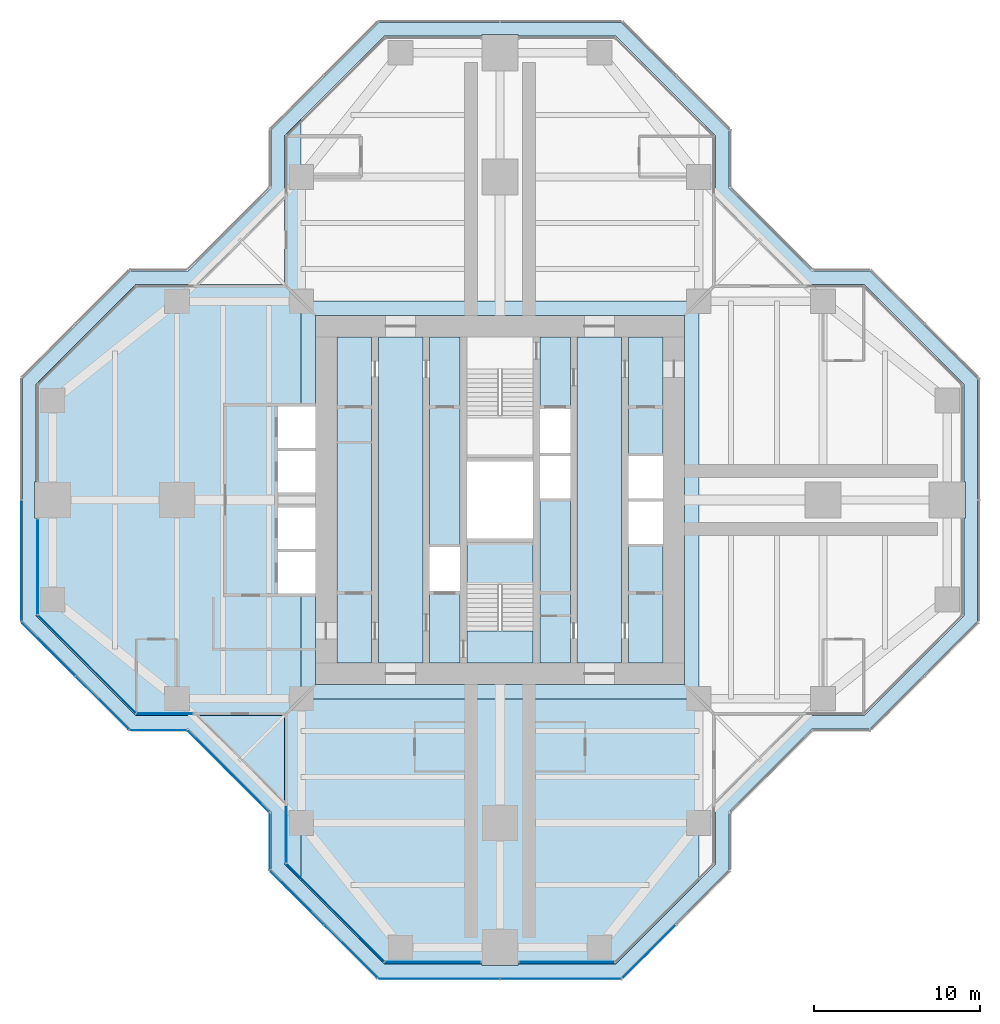
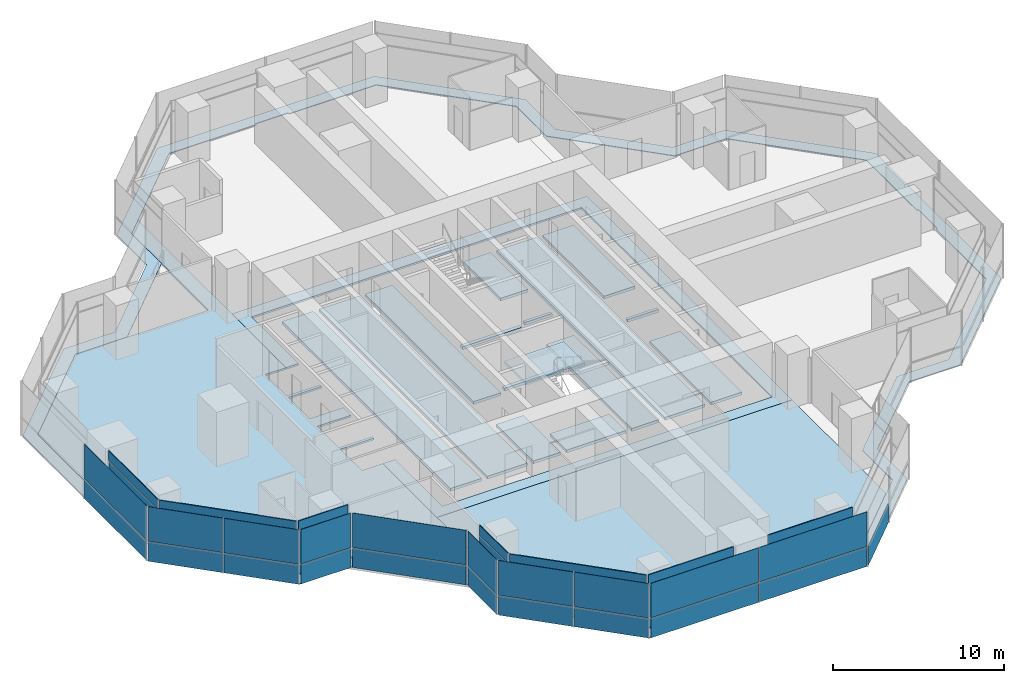
# One storey, part 10 of 17: 36 plates, 7 slabs, 16 elements without a shape of their own.
"""IFC4 building model written with IfcOpenShell, lengths in metres."""

import ifcopenshell
import ifcopenshell.guid

model = None  # the IFC model being written
_history = None  # IfcOwnerHistory: only IFC2X3 demands one
_inside = {}  # id of a spatial element -> (the spatial element, [elements in it])
_under = {}  # id of a project, library or spatial element -> (it, [spatial elements below it])
_declared = {}  # id of a project -> (the project, [libraries it declares])
_typed = {}  # id of a type object -> (the type object, [elements of that type])
_made_of = {}  # id of a material, layer set ... -> (it, [elements and type objects made of it])


def new_model(schema):
    """Start an empty IFC model of exactly this schema.

    Asked for "IFC4X3", IfcOpenShell would pick the latest addendum, in which some entities
    have other attributes; the version numbers below select the first issue.
    IFC2X3 requires an IfcOwnerHistory on every rooted entity: one is made here for all.
    """
    global model, _history
    if schema == "IFC4X3":
        model = ifcopenshell.file(schema_version=(4, 3, 0, 0))
    else:
        model = ifcopenshell.file(schema=schema)
    _inside.clear()
    _under.clear()
    _declared.clear()
    _typed.clear()
    _made_of.clear()
    _history = None
    if model.schema == "IFC2X3":
        org = make("IfcOrganization", Name="unknown")
        user = make(
            "IfcPersonAndOrganization",
            ThePerson=make("IfcPerson", FamilyName="unknown"),
            TheOrganization=org,
        )
        app = make(
            "IfcApplication",
            ApplicationDeveloper=org,
            Version="unknown",
            ApplicationFullName="unknown",
            ApplicationIdentifier="unknown",
        )
        _history = make(
            "IfcOwnerHistory",
            OwningUser=user,
            OwningApplication=app,
            ChangeAction="ADDED",
            CreationDate=0,
        )
    return model


def make(cls, **values):
    """One entity of the class cls with the attributes given. An attribute that is None is left unset."""
    return model.create_entity(
        cls, **{name: value for name, value in values.items() if value is not None}
    )


def rooted(cls, **values):
    """An entity with a GlobalId (a new one), such as an element, a storey or a relation."""
    return make(cls, GlobalId=ifcopenshell.guid.new(), OwnerHistory=_history, **values)


def si_unit(unit_type, name, prefix=None):
    """IfcSIUnit, for example si_unit("LENGTHUNIT", "METRE", prefix="MILLI")."""
    return make("IfcSIUnit", UnitType=unit_type, Prefix=prefix, Name=name)


def assignment(units):
    """IfcUnitAssignment: the units of a project."""
    return None if units is None else make("IfcUnitAssignment", Units=units)


def point(xyz):
    """IfcCartesianPoint."""
    return None if xyz is None else make("IfcCartesianPoint", Coordinates=xyz)


def direction(xyz):
    """IfcDirection."""
    return None if xyz is None else make("IfcDirection", DirectionRatios=xyz)


def frame(location, z_axis=None, x_axis=None):
    """IfcAxis2Placement3D, a coordinate frame: its origin and axes. An axis left out is left unset."""
    return make(
        "IfcAxis2Placement3D",
        Location=point(location),
        Axis=direction(z_axis),
        RefDirection=direction(x_axis),
    )


def frame_2d(location, x_axis=None):
    """IfcAxis2Placement2D, a coordinate frame in the plane: its origin and x axis."""
    return make(
        "IfcAxis2Placement2D", Location=point(location), RefDirection=direction(x_axis)
    )


def origin():
    """The frame at (0, 0, 0) with its axes left unset."""
    return frame((0.0, 0.0, 0.0))


def origin_2d():
    """The frame at (0, 0) in the plane with its x axis left unset."""
    return frame_2d((0.0, 0.0))


def place(relative_to, where):
    """IfcLocalPlacement: puts the frame where relative to a parent placement (None: the world)."""
    return make(
        "IfcLocalPlacement", PlacementRelTo=relative_to, RelativePlacement=where
    )


def context(
    kind, dimensions, precision=None, world=None, true_north=None, identifier=None
):
    """IfcGeometricRepresentationContext, for example the 3D "Model" context."""
    return make(
        "IfcGeometricRepresentationContext",
        ContextIdentifier=identifier,
        ContextType=kind,
        CoordinateSpaceDimension=dimensions,
        Precision=precision,
        WorldCoordinateSystem=world,
        TrueNorth=true_north,
    )


def subcontext(parent, identifier, kind, view, scale=None):
    """IfcGeometricRepresentationSubContext, for example "Body" below "Model"."""
    return make(
        "IfcGeometricRepresentationSubContext",
        ContextIdentifier=identifier,
        ContextType=kind,
        ParentContext=parent,
        TargetScale=scale,
        TargetView=view,
    )


def project(units=None, contexts=None):
    """IfcProject with its units and contexts."""
    return rooted(
        "IfcProject",
        Name="project",
        RepresentationContexts=contexts,
        UnitsInContext=assignment(units),
    )


def spatial(cls, under=None, at=None, **own):
    """A site, building, storey or space (cls), placed at a placement, below another one or the project."""
    s = rooted(cls, ObjectPlacement=at, **own)
    if under is not None:
        _under.setdefault(under.id(), (under, []))[1].append(s)
    return s


def polyline(points):
    """IfcPolyline through the points."""
    return make("IfcPolyline", Points=[point(p) for p in points])


def profile(cls, at=None, kind="AREA", **sizes):
    """A parametric profile (cls). Its sizes go by their IFC names, for example OverallWidth=200.0."""
    return make(cls, ProfileType=kind, Position=at, **sizes)


def rectangle(**sizes):
    """IfcRectangleProfileDef."""
    return profile("IfcRectangleProfileDef", **sizes)


def outline(outer, holes=None, kind="AREA"):
    """IfcArbitraryClosedProfileDef: a profile drawn as a closed curve; with holes, ...WithVoids."""
    if holes is None:
        return make("IfcArbitraryClosedProfileDef", ProfileType=kind, OuterCurve=outer)
    return make(
        "IfcArbitraryProfileDefWithVoids",
        ProfileType=kind,
        OuterCurve=outer,
        InnerCurves=holes,
    )


def extrude(swept, where, along, depth):
    """IfcExtrudedAreaSolid: the profile swept, set in the frame where, extruded along a direction by depth."""
    return make(
        "IfcExtrudedAreaSolid",
        SweptArea=swept,
        Position=where,
        ExtrudedDirection=direction(along),
        Depth=depth,
    )


def shape(context_of_items, identifier, shape_type, items):
    """IfcShapeRepresentation: the items that make up one representation, for example the "Body"."""
    return make(
        "IfcShapeRepresentation",
        ContextOfItems=context_of_items,
        RepresentationIdentifier=identifier,
        RepresentationType=shape_type,
        Items=items,
    )


def material(Name=None, Category=None):
    """IfcMaterial."""
    return make("IfcMaterial", Name=Name, Category=Category)


def layer(
    of_material, thickness, ventilated=None, Name=None, Category=None, Priority=None
):
    """IfcMaterialLayer: one layer of a wall or slab, of a material (None: an air gap)."""
    return make(
        "IfcMaterialLayer",
        Material=of_material,
        LayerThickness=thickness,
        IsVentilated=ventilated,
        Name=Name,
        Category=Category,
        Priority=Priority,
    )


def layer_set(layers, Name=None):
    """IfcMaterialLayerSet."""
    return make("IfcMaterialLayerSet", MaterialLayers=layers, LayerSetName=Name)


def made_of(thing, what):
    """Note that an element or type object is made of a material, layer set ...; save() writes the relation."""
    if what is not None:
        _made_of.setdefault(what.id(), (what, []))[1].append(thing)
    return thing


def type_object(cls, material=None, **own):
    """A type object (cls), such as IfcWallType, which elements share."""
    return made_of(rooted(cls, **own), material)


def element(
    cls,
    number,
    at=None,
    inside=None,
    cuts=None,
    type_object=None,
    material=None,
    context=None,
    identifier="Body",
    shape_type=None,
    held_by="IfcProductDefinitionShape",
    body=None,
    shapes=None,
    **own,
):
    """One element of the class cls, such as IfcWall. Its Tag is "e" and its number.

    at: its placement. inside: the storey or other place that contains it. cuts: it is an
    opening in that element (IfcRelVoidsElement). A single representation is given by context,
    identifier, shape_type and body (its items); several are given by shapes. held_by: the class
    of the entity that holds the representations. save() writes the other relations.
    """
    e = rooted(cls, Tag="e%d" % number, ObjectPlacement=at, **own)
    if body is not None:
        shapes = [shape(context, identifier, shape_type, body)]
    if shapes is not None:
        e.Representation = make(held_by, Representations=shapes)
    if inside is not None:
        _inside.setdefault(inside.id(), (inside, []))[1].append(e)
    if cuts is not None:
        rooted(
            "IfcRelVoidsElement", RelatingBuildingElement=cuts, RelatedOpeningElement=e
        )
    if type_object is not None:
        _typed.setdefault(type_object.id(), (type_object, []))[1].append(e)
    return made_of(e, material)


def aggregate(whole, parts):
    """IfcRelAggregates: a whole, such as a stair, and the parts it consists of."""
    return rooted("IfcRelAggregates", RelatingObject=whole, RelatedObjects=parts)


def save(model, path):
    """Write the relations noted so far, then the file.

    IfcRelAggregates (storeys below a building ...), IfcRelContainedInSpatialStructure (elements
    in a storey), IfcRelDefinesByType, IfcRelAssociatesMaterial and IfcRelDeclares: one each for
    every whole, place, type object, material and project.
    """
    for whole, parts in _under.values():
        aggregate(whole, parts)
    for where, things in _inside.values():
        rooted(
            "IfcRelContainedInSpatialStructure",
            RelatedElements=things,
            RelatingStructure=where,
        )
    for kind, things in _typed.values():
        rooted("IfcRelDefinesByType", RelatedObjects=things, RelatingType=kind)
    for what, things in _made_of.values():
        rooted("IfcRelAssociatesMaterial", RelatedObjects=things, RelatingMaterial=what)
    for by, libraries in _declared.values():
        rooted("IfcRelDeclares", RelatingContext=by, RelatedDefinitions=libraries)
    model.write(path)


model = new_model("IFC4")

# Units and contexts
model_context = context("Model", 3, precision=1e-05, world=origin(), true_north=direction((0.0, 1.0)))
body_context = subcontext(model_context, "Body", "Model", "MODEL_VIEW")
ifc_project = project(units=[si_unit("LENGTHUNIT", "METRE"), si_unit("AREAUNIT", "SQUARE_METRE"), si_unit("VOLUMEUNIT", "CUBIC_METRE"), si_unit("PLANEANGLEUNIT", "RADIAN"), si_unit("MASSUNIT", "GRAM", prefix="KILO")], contexts=[model_context])

# Site, building, storey
site_placement = place(None, origin())
site = spatial("IfcSite", under=ifc_project, at=site_placement, CompositionType="ELEMENT")
building_placement = place(site_placement, origin())
building = spatial("IfcBuilding", under=site, at=building_placement, Name="Mizan Broadcast Tower", CompositionType="ELEMENT")
storey_placement = place(building_placement, frame((0.0, 0.0, 255.60009765625)))
storey = spatial("IfcBuildingStorey", under=building, at=storey_placement, Name="L60", CompositionType="ELEMENT", Elevation=255.60009765625)

# Plate
ifc_material_1 = material(Name="Aluminium grating", Category="aluminium")
ifc_layer_1 = layer(ifc_material_1, 0.050048828125)
ifc_layer_set_1 = layer_set([ifc_layer_1], Name="Aluminium grating")
plate_type_1 = type_object("IfcPlateType", Name="CAVITY GRATING", PredefinedType="USERDEFINED", material=ifc_layer_set_1)
plate_1_placement = place(storey_placement, frame((0.0, 0.0, -0.050048828125)))
element("IfcPlate", 1, at=plate_1_placement, inside=storey, type_object=plate_type_1, Name="Cavity grating L60", ObjectType="GRATING", PredefinedType="USERDEFINED", context=body_context, shape_type="SweptSolid", body=[
    extrude(outline(polyline([(13.820068359375, -18.839599609375), (18.839599609375, -13.820068359375), (22.339599609375, -13.820068359375), (28.820068359375, -7.339599609375), (28.820068359375, 7.339599609375), (22.339599609375, 13.820068359375), (18.839599609375, 13.820068359375), (13.820068359375, 18.839599609375), (13.820068359375, 22.339599609375), (7.339599609375, 28.820068359375), (-7.339599609375, 28.820068359375), (-13.820068359375, 22.339599609375), (-13.820068359375, 18.839599609375), (-18.839599609375, 13.820068359375), (-22.339599609375, 13.820068359375), (-28.820068359375, 7.339599609375), (-28.820068359375, -7.339599609375), (-22.339599609375, -13.820068359375), (-18.839599609375, -13.820068359375), (-13.820068359375, -18.839599609375), (-13.820068359375, -22.339599609375), (-7.339599609375, -28.820068359375), (7.339599609375, -28.820068359375), (13.820068359375, -22.339599609375), (13.820068359375, -18.839599609375)]), holes=[polyline([(28.0, -1.10009765625), (28.0, -7.0), (22.0, -13.0), (18.5, -13.0), (13.0, -18.5), (13.0, -22.0), (7.0, -28.0), (1.10009765625, -28.0), (1.10009765625, -28.10009765625), (-1.10009765625, -28.10009765625), (-1.10009765625, -28.0), (-7.0, -28.0), (-13.0, -22.0), (-13.0, -18.5), (-18.5, -13.0), (-22.0, -13.0), (-28.0, -7.0), (-28.0, -1.10009765625), (-28.10009765625, -1.10009765625), (-28.10009765625, 1.10009765625), (-28.0, 1.10009765625), (-28.0, 7.0), (-22.0, 13.0), (-18.5, 13.0), (-13.0, 18.5), (-13.0, 22.0), (-7.0, 28.0), (-1.10009765625, 28.0), (-1.10009765625, 28.10009765625), (1.10009765625, 28.10009765625), (1.10009765625, 28.0), (7.0, 28.0), (13.0, 22.0), (13.0, 18.5), (18.5, 13.0), (22.0, 13.0), (28.0, 7.0), (28.0, 1.10009765625), (28.10009765625, 1.10009765625), (28.10009765625, -1.10009765625), (28.0, -1.10009765625)])]), origin(), (0.0, 0.0, 1.0), 0.050048828125),
])

# Slabs
ifc_material_2 = material(Name="Concrete C32/40", Category="concrete")
ifc_layer_2 = layer(ifc_material_2, 0.1298828125)
ifc_layer_set_2 = layer_set([ifc_layer_2], Name="Concrete C32/40")
slab_type_1 = type_object("IfcSlabType", Name="COMPOSITE DECK SLAB 130", PredefinedType="FLOOR", material=ifc_layer_set_2)
slab_1_placement = place(storey_placement, frame((0.0, 0.0, -0.130126953125)))
element("IfcSlab", 2, at=slab_1_placement, inside=storey, type_object=slab_type_1, Name="Floor slab L60 centre", PredefinedType="FLOOR", context=body_context, shape_type="SweptSolid", body=[
    extrude(outline(polyline([(-11.14990234375, -5.64990234375), (-12.0, -5.64990234375), (-12.0, -12.0), (12.0, -12.0), (12.0, 12.0), (-12.0, 12.0), (-12.0, 5.64990234375), (-11.14990234375, 5.64990234375), (-11.14990234375, 11.14990234375), (11.14990234375, 11.14990234375), (11.14990234375, -11.14990234375), (-11.14990234375, -11.14990234375), (-11.14990234375, -5.64990234375)])), origin(), (0.0, 0.0, 1.0), 0.130126953125),
])
slab_2_placement = place(storey_placement, frame((0.0, 0.0, -0.130126953125)))
element("IfcSlab", 3, at=slab_2_placement, inside=storey, type_object=slab_type_1, Name="Floor slab L60 west arm", PredefinedType="FLOOR", context=body_context, shape_type="SweptSolid", body=[
    extrude(outline(polyline([(-22.0, 13.0), (-28.0, 7.0), (-28.0, -7.0), (-22.0, -13.0), (-13.0, -13.0), (-13.0, -22.0), (-12.0, -23.0), (-12.0, -5.64990234375), (-13.39990234375, -5.64990234375), (-13.39990234375, -3.14990234375), (-11.14990234375, -3.14990234375), (-11.14990234375, -2.949951171875), (-13.39990234375, -2.949951171875), (-13.39990234375, -0.449951171875), (-11.14990234375, -0.449951171875), (-11.14990234375, 0.449951171875), (-13.39990234375, 0.449951171875), (-13.39990234375, 2.949951171875), (-11.14990234375, 2.949951171875), (-11.14990234375, 3.14990234375), (-13.39990234375, 3.14990234375), (-13.39990234375, 5.64990234375), (-12.0, 5.64990234375), (-12.0, 23.0), (-13.0, 22.0), (-13.0, 13.0), (-22.0, 13.0)])), origin(), (0.0, 0.0, 1.0), 0.130126953125),
])
slab_3_placement = place(storey_placement, frame((0.0, 0.0, -0.130126953125)))
element("IfcSlab", 4, at=slab_3_placement, inside=storey, type_object=slab_type_1, Name="Floor slab L60 south arm", PredefinedType="FLOOR", context=body_context, shape_type="SweptSolid", body=[
    extrude(outline(polyline([(7.0, -28.0), (12.0, -23.0), (12.0, -12.0), (-12.0, -12.0), (-12.0, -23.0), (-7.0, -28.0), (7.0, -28.0)])), origin(), (0.0, 0.0, 1.0), 0.130126953125),
])
ifc_material_3 = material(Name="Concrete C40/50", Category="concrete")
ifc_layer_3 = layer(ifc_material_3, 0.199951171875)
ifc_layer_set_3 = layer_set([ifc_layer_3], Name="Concrete C40/50")
slab_type_2 = type_object("IfcSlabType", Name="CORE FLOOR 200", PredefinedType="FLOOR", material=ifc_layer_set_3)
slab_4_placement = place(storey_placement, frame((0.0, 0.0, -0.2001953125)))
element("IfcSlab", 5, at=slab_4_placement, inside=storey, type_object=slab_type_2, Name="Core floor L60", PredefinedType="FLOOR", context=body_context, shape_type="SweptSolid", body=[
    extrude(outline(polyline([(-9.85009765625, -9.85009765625), (-7.75, -9.85009765625), (-7.75, 9.85009765625), (-9.85009765625, 9.85009765625), (-9.85009765625, -9.85009765625)])), origin(), (0.0, 0.0, 1.0), 0.2001953125),
    extrude(outline(polyline([(-4.64990234375, 9.85009765625), (-7.35009765625, 9.85009765625), (-7.35009765625, -9.85009765625), (-4.64990234375, -9.85009765625), (-4.64990234375, 9.85009765625)])), origin(), (0.0, 0.0, 1.0), 0.2001953125),
    extrude(outline(polyline([(-4.25, -5.5), (-4.25, -9.85009765625), (-2.39990234375, -9.85009765625), (-2.39990234375, -5.5), (-4.25, -5.5)])), origin(), (0.0, 0.0, 1.0), 0.2001953125),
    extrude(outline(polyline([(-4.25, -2.85009765625), (-2.39990234375, -2.85009765625), (-2.39990234375, 9.85009765625), (-4.25, 9.85009765625), (-4.25, -2.85009765625)])), origin(), (0.0, 0.0, 1.0), 0.2001953125),
    extrude(outline(polyline([(2.0, -2.324951171875), (-2.0, -2.324951171875), (-2.0, -2.574951171875), (2.0, -2.574951171875), (2.0, -2.324951171875)])), origin(), (0.0, 0.0, 1.0), 0.2001953125),
    extrude(outline(polyline([(2.0, 2.574951171875), (-2.0, 2.574951171875), (-2.0, 2.324951171875), (2.0, 2.324951171875), (2.0, 2.574951171875)])), origin(), (0.0, 0.0, 1.0), 0.2001953125),
    extrude(outline(polyline([(4.25, -9.85009765625), (4.25, 0.10009765625), (2.39990234375, 0.10009765625), (2.39990234375, -9.85009765625), (4.25, -9.85009765625)])), origin(), (0.0, 0.0, 1.0), 0.2001953125),
    extrude(outline(polyline([(4.25, 2.64990234375), (4.25, 2.85009765625), (2.39990234375, 2.85009765625), (2.39990234375, 2.64990234375), (4.25, 2.64990234375)])), origin(), (0.0, 0.0, 1.0), 0.2001953125),
    extrude(outline(polyline([(4.25, 5.5), (4.25, 9.85009765625), (2.39990234375, 9.85009765625), (2.39990234375, 5.5), (4.25, 5.5)])), origin(), (0.0, 0.0, 1.0), 0.2001953125),
    extrude(outline(polyline([(4.64990234375, 9.85009765625), (4.64990234375, -9.85009765625), (7.35009765625, -9.85009765625), (7.35009765625, 9.85009765625), (4.64990234375, 9.85009765625)])), origin(), (0.0, 0.0, 1.0), 0.2001953125),
    extrude(outline(polyline([(9.85009765625, -9.85009765625), (9.85009765625, -2.64990234375), (7.75, -2.64990234375), (7.75, -9.85009765625), (9.85009765625, -9.85009765625)])), origin(), (0.0, 0.0, 1.0), 0.2001953125),
    extrude(outline(polyline([(9.85009765625, -0.10009765625), (9.85009765625, 0.10009765625), (7.75, 0.10009765625), (7.75, -0.10009765625), (9.85009765625, -0.10009765625)])), origin(), (0.0, 0.0, 1.0), 0.2001953125),
    extrude(outline(polyline([(7.75, 9.85009765625), (7.75, 2.64990234375), (9.85009765625, 2.64990234375), (9.85009765625, 9.85009765625), (7.75, 9.85009765625)])), origin(), (0.0, 0.0, 1.0), 0.2001953125),
])

# Curtain wall, plate
ifc_material_4 = material(Name="Aluminium framed glazing", Category="aluminium")
curtain_wall_type_1 = type_object("IfcCurtainWallType", Name="INNER SKIN HIGH ZONE", PredefinedType="USERDEFINED", material=ifc_material_4)
curtain_wall_1_placement = place(storey_placement, origin())
curtain_wall_1 = element("IfcCurtainWall", 6, at=curtain_wall_1_placement, inside=storey, type_object=curtain_wall_type_1, Name="Inner skin high zone L60 W end", ObjectType="INNER SKIN HIGH ZONE", PredefinedType="USERDEFINED")
ifc_material_5 = material(Name="Double glazing, clear low-e", Category="glass")
ifc_layer_4 = layer(ifc_material_5, 0.028076171875)
ifc_layer_set_4 = layer_set([ifc_layer_4], Name="Double glazing, clear low-e")
plate_type_2 = type_object("IfcPlateType", Name="INNER SKIN GLAZING UNIT", PredefinedType="CURTAIN_PANEL", material=ifc_layer_set_4)
plate_2_placement = place(storey_placement, frame((-27.89990234375, -4.029296875, 0.0), z_axis=(0.0, 0.0, 1.0), x_axis=(0.0, -1.0, 0.0)))
plate_2 = element("IfcPlate", 7, at=plate_2_placement, type_object=plate_type_2, Name="Inner skin high zone L60 W end panel 1.1", PredefinedType="CURTAIN_PANEL", context=body_context, shape_type="SweptSolid", body=[
    extrude(rectangle(XDim=5.738525390625, YDim=0.028076171875, at=origin_2d()), origin(), (0.0, 0.0, 1.0), 3.0),
])

curtain_wall_2_placement = place(storey_placement, origin())
curtain_wall_2 = element("IfcCurtainWall", 8, at=curtain_wall_2_placement, inside=storey, type_object=curtain_wall_type_1, Name="Inner skin high zone L60 W chamfer", ObjectType="INNER SKIN HIGH ZONE", PredefinedType="USERDEFINED")
plate_3_placement = place(storey_placement, frame((-24.92919921875, -9.92919921875, 0.0), z_axis=(0.0, 0.0, 1.0), x_axis=(0.707106781187, -0.707106781187, 0.0)))
plate_3 = element("IfcPlate", 9, at=plate_3_placement, type_object=plate_type_2, Name="Inner skin high zone L60 W chamfer panel 1.1", PredefinedType="CURTAIN_PANEL", context=body_context, shape_type="SweptSolid", body=[
    extrude(rectangle(XDim=8.282470703125, YDim=0.028076171875, at=origin_2d()), origin(), (0.0, 0.0, 1.0), 3.0),
])

curtain_wall_3_placement = place(storey_placement, origin())
curtain_wall_3 = element("IfcCurtainWall", 10, at=curtain_wall_3_placement, inside=storey, type_object=curtain_wall_type_1, Name="Inner skin high zone L60 W side", ObjectType="INNER SKIN HIGH ZONE", PredefinedType="USERDEFINED")
plate_4_placement = place(storey_placement, frame((-20.229248046875, -12.89990234375, 0.0), z_axis=(0.0, 0.0, 1.0), x_axis=(1.0, 0.0, 0.0)))
plate_4 = element("IfcPlate", 11, at=plate_4_placement, type_object=plate_type_2, Name="Inner skin high zone L60 W side panel 1.1", PredefinedType="CURTAIN_PANEL", context=body_context, shape_type="SweptSolid", body=[
    extrude(rectangle(XDim=3.338623046875, YDim=0.028076171875, at=origin_2d()), origin(), (0.0, 0.0, 1.0), 3.0),
])

curtain_wall_4_placement = place(storey_placement, origin())
curtain_wall_4 = element("IfcCurtainWall", 12, at=curtain_wall_4_placement, inside=storey, type_object=curtain_wall_type_1, Name="Inner skin high zone L60 S side", ObjectType="INNER SKIN HIGH ZONE", PredefinedType="USERDEFINED")
plate_5_placement = place(storey_placement, frame((-12.89990234375, -20.229248046875, 0.0), z_axis=(0.0, 0.0, 1.0), x_axis=(0.0, -1.0, 0.0)))
plate_5 = element("IfcPlate", 13, at=plate_5_placement, type_object=plate_type_2, Name="Inner skin high zone L60 S side panel 1.1", PredefinedType="CURTAIN_PANEL", context=body_context, shape_type="SweptSolid", body=[
    extrude(rectangle(XDim=3.338623046875, YDim=0.028076171875, at=origin_2d()), origin(), (0.0, 0.0, 1.0), 3.0),
])

curtain_wall_5_placement = place(storey_placement, origin())
curtain_wall_5 = element("IfcCurtainWall", 14, at=curtain_wall_5_placement, inside=storey, type_object=curtain_wall_type_1, Name="Inner skin high zone L60 S chamfer", ObjectType="INNER SKIN HIGH ZONE", PredefinedType="USERDEFINED")
plate_6_placement = place(storey_placement, frame((-9.92919921875, -24.92919921875, 0.0), z_axis=(0.0, 0.0, 1.0), x_axis=(0.707106781187, -0.707106781187, 0.0)))
plate_6 = element("IfcPlate", 15, at=plate_6_placement, type_object=plate_type_2, Name="Inner skin high zone L60 S chamfer panel 1.1", PredefinedType="CURTAIN_PANEL", context=body_context, shape_type="SweptSolid", body=[
    extrude(rectangle(XDim=8.282470703125, YDim=0.028076171875, at=origin_2d()), origin(), (0.0, 0.0, 1.0), 3.0),
])

curtain_wall_6_placement = place(storey_placement, origin())
curtain_wall_6 = element("IfcCurtainWall", 16, at=curtain_wall_6_placement, inside=storey, type_object=curtain_wall_type_1, Name="Inner skin high zone L60 S end", ObjectType="INNER SKIN HIGH ZONE", PredefinedType="USERDEFINED")
plate_7_placement = place(storey_placement, frame((-4.029296875, -27.89990234375, 0.0), z_axis=(0.0, 0.0, 1.0), x_axis=(1.0, 0.0, 0.0)))
plate_7 = element("IfcPlate", 17, at=plate_7_placement, type_object=plate_type_2, Name="Inner skin high zone L60 S end panel 1.1", PredefinedType="CURTAIN_PANEL", context=body_context, shape_type="SweptSolid", body=[
    extrude(rectangle(XDim=5.738525390625, YDim=0.028076171875, at=origin_2d()), origin(), (0.0, 0.0, 1.0), 3.0),
])

curtain_wall_7_placement = place(storey_placement, origin())
curtain_wall_7 = element("IfcCurtainWall", 18, at=curtain_wall_7_placement, inside=storey, type_object=curtain_wall_type_1, Name="Inner skin high zone L60 S end", ObjectType="INNER SKIN HIGH ZONE", PredefinedType="USERDEFINED")
plate_8_placement = place(storey_placement, frame((4.029296875, -27.89990234375, 0.0), z_axis=(0.0, 0.0, 1.0), x_axis=(1.0, 0.0, 0.0)))
plate_8 = element("IfcPlate", 19, at=plate_8_placement, type_object=plate_type_2, Name="Inner skin high zone L60 S end panel 1.1", PredefinedType="CURTAIN_PANEL", context=body_context, shape_type="SweptSolid", body=[
    extrude(rectangle(XDim=5.738525390625, YDim=0.028076171875, at=origin_2d()), origin(), (0.0, 0.0, 1.0), 3.0),
])

# Plate
ifc_material_6 = material(Name="Insulated aluminium spandrel panel, pale anodised", Category="aluminium")
ifc_layer_5 = layer(ifc_material_6, 0.050048828125)
ifc_layer_set_5 = layer_set([ifc_layer_5], Name="Insulated aluminium spandrel panel, pale anodised")
plate_type_3 = type_object("IfcPlateType", Name="INNER SKIN SPANDREL PANEL", PredefinedType="CURTAIN_PANEL", material=ifc_layer_set_5)
plate_9_placement = place(storey_placement, frame((-27.89990234375, -4.029296875, 3.059814453125), z_axis=(0.0, 0.0, 1.0), x_axis=(0.0, -1.0, 0.0)))
plate_9 = element("IfcPlate", 20, at=plate_9_placement, type_object=plate_type_3, Name="Inner skin high zone L60 W end panel 1.2", PredefinedType="CURTAIN_PANEL", context=body_context, shape_type="SweptSolid", body=[
    extrude(rectangle(XDim=5.738525390625, YDim=0.050048828125, at=origin_2d()), origin(), (0.0, 0.0, 1.0), 0.7099609375),
])

aggregate(curtain_wall_1, [plate_2, plate_9])

plate_10_placement = place(storey_placement, frame((-24.92919921875, -9.92919921875, 3.059814453125), z_axis=(0.0, 0.0, 1.0), x_axis=(0.707106781187, -0.707106781187, 0.0)))
plate_10 = element("IfcPlate", 21, at=plate_10_placement, type_object=plate_type_3, Name="Inner skin high zone L60 W chamfer panel 1.2", PredefinedType="CURTAIN_PANEL", context=body_context, shape_type="SweptSolid", body=[
    extrude(rectangle(XDim=8.282470703125, YDim=0.050048828125, at=origin_2d()), origin(), (0.0, 0.0, 1.0), 0.7099609375),
])

aggregate(curtain_wall_2, [plate_3, plate_10])

plate_11_placement = place(storey_placement, frame((-20.229248046875, -12.89990234375, 3.059814453125), z_axis=(0.0, 0.0, 1.0), x_axis=(1.0, 0.0, 0.0)))
plate_11 = element("IfcPlate", 22, at=plate_11_placement, type_object=plate_type_3, Name="Inner skin high zone L60 W side panel 1.2", PredefinedType="CURTAIN_PANEL", context=body_context, shape_type="SweptSolid", body=[
    extrude(rectangle(XDim=3.338623046875, YDim=0.050048828125, at=origin_2d()), origin(), (0.0, 0.0, 1.0), 0.7099609375),
])

aggregate(curtain_wall_3, [plate_4, plate_11])

plate_12_placement = place(storey_placement, frame((-12.89990234375, -20.229248046875, 3.059814453125), z_axis=(0.0, 0.0, 1.0), x_axis=(0.0, -1.0, 0.0)))
plate_12 = element("IfcPlate", 23, at=plate_12_placement, type_object=plate_type_3, Name="Inner skin high zone L60 S side panel 1.2", PredefinedType="CURTAIN_PANEL", context=body_context, shape_type="SweptSolid", body=[
    extrude(rectangle(XDim=3.338623046875, YDim=0.050048828125, at=origin_2d()), origin(), (0.0, 0.0, 1.0), 0.7099609375),
])

aggregate(curtain_wall_4, [plate_5, plate_12])

plate_13_placement = place(storey_placement, frame((-9.92919921875, -24.92919921875, 3.059814453125), z_axis=(0.0, 0.0, 1.0), x_axis=(0.707106781187, -0.707106781187, 0.0)))
plate_13 = element("IfcPlate", 24, at=plate_13_placement, type_object=plate_type_3, Name="Inner skin high zone L60 S chamfer panel 1.2", PredefinedType="CURTAIN_PANEL", context=body_context, shape_type="SweptSolid", body=[
    extrude(rectangle(XDim=8.282470703125, YDim=0.050048828125, at=origin_2d()), origin(), (0.0, 0.0, 1.0), 0.7099609375),
])

aggregate(curtain_wall_5, [plate_6, plate_13])

plate_14_placement = place(storey_placement, frame((-4.029296875, -27.89990234375, 3.059814453125), z_axis=(0.0, 0.0, 1.0), x_axis=(1.0, 0.0, 0.0)))
plate_14 = element("IfcPlate", 25, at=plate_14_placement, type_object=plate_type_3, Name="Inner skin high zone L60 S end panel 1.2", PredefinedType="CURTAIN_PANEL", context=body_context, shape_type="SweptSolid", body=[
    extrude(rectangle(XDim=5.738525390625, YDim=0.050048828125, at=origin_2d()), origin(), (0.0, 0.0, 1.0), 0.7099609375),
])

aggregate(curtain_wall_6, [plate_7, plate_14])

plate_15_placement = place(storey_placement, frame((4.029296875, -27.89990234375, 3.059814453125), z_axis=(0.0, 0.0, 1.0), x_axis=(1.0, 0.0, 0.0)))
plate_15 = element("IfcPlate", 26, at=plate_15_placement, type_object=plate_type_3, Name="Inner skin high zone L60 S end panel 1.2", PredefinedType="CURTAIN_PANEL", context=body_context, shape_type="SweptSolid", body=[
    extrude(rectangle(XDim=5.738525390625, YDim=0.050048828125, at=origin_2d()), origin(), (0.0, 0.0, 1.0), 0.7099609375),
])

aggregate(curtain_wall_7, [plate_8, plate_15])

# Curtain wall, plates
ifc_material_7 = material(Name="Aluminium framed glazing", Category="aluminium")
curtain_wall_type_2 = type_object("IfcCurtainWallType", Name="OUTER SKIN", PredefinedType="USERDEFINED", material=ifc_material_7)
curtain_wall_8_placement = place(storey_placement, origin())
curtain_wall_8 = element("IfcCurtainWall", 27, at=curtain_wall_8_placement, inside=storey, type_object=curtain_wall_type_2, Name="Outer skin L60 W chamfer", ObjectType="OUTER SKIN", PredefinedType="USERDEFINED")
ifc_material_8 = material(Name="Laminated clear glass", Category="glass")
ifc_layer_6 = layer(ifc_material_8, 0.02001953125)
ifc_layer_set_6 = layer_set([ifc_layer_6], Name="Laminated clear glass")
plate_type_4 = type_object("IfcPlateType", Name="OUTER SKIN CLEAR GLASS", PredefinedType="CURTAIN_PANEL", material=ifc_layer_set_6)
plate_16_placement = place(storey_placement, frame((-27.254150390625, -9.018798828125, -0.000244140625), z_axis=(0.0, 0.0, 1.0), x_axis=(0.707106781187, -0.707106781187, 0.0)))
plate_16 = element("IfcPlate", 28, at=plate_16_placement, type_object=plate_type_4, Name="Outer skin L60 W chamfer panel 1.1", PredefinedType="CURTAIN_PANEL", context=body_context, shape_type="SweptSolid", body=[
    extrude(rectangle(XDim=4.495361328125, YDim=0.02001953125, at=origin_2d()), origin(), (0.0, 0.0, 1.0), 1.3701171875),
])
plate_17_placement = place(storey_placement, frame((-27.254150390625, -9.018798828125, 1.4296875), z_axis=(0.0, 0.0, 1.0), x_axis=(0.707106781187, -0.707106781187, 0.0)))
plate_17 = element("IfcPlate", 29, at=plate_17_placement, type_object=plate_type_4, Name="Outer skin L60 W chamfer panel 1.2", PredefinedType="CURTAIN_PANEL", context=body_context, shape_type="SweptSolid", body=[
    extrude(rectangle(XDim=4.495361328125, YDim=0.02001953125, at=origin_2d()), origin(), (0.0, 0.0, 1.0), 2.469970703125),
])

curtain_wall_9_placement = place(storey_placement, origin())
curtain_wall_9 = element("IfcCurtainWall", 30, at=curtain_wall_9_placement, inside=storey, type_object=curtain_wall_type_2, Name="Outer skin L60 W side", ObjectType="OUTER SKIN", PredefinedType="USERDEFINED")
plate_18_placement = place(storey_placement, frame((-20.622802734375, -13.89990234375, -0.000244140625), z_axis=(0.0, 0.0, 1.0), x_axis=(1.0, 0.0, 0.0)))
plate_18 = element("IfcPlate", 31, at=plate_18_placement, type_object=plate_type_4, Name="Outer skin L60 W side panel 1.1", PredefinedType="CURTAIN_PANEL", context=body_context, shape_type="SweptSolid", body=[
    extrude(rectangle(XDim=3.340087890625, YDim=0.02001953125, at=origin_2d()), origin(), (0.0, 0.0, 1.0), 1.3701171875),
])
plate_19_placement = place(storey_placement, frame((-20.622802734375, -13.89990234375, 1.4296875), z_axis=(0.0, 0.0, 1.0), x_axis=(1.0, 0.0, 0.0)))
plate_19 = element("IfcPlate", 32, at=plate_19_placement, type_object=plate_type_4, Name="Outer skin L60 W side panel 1.2", PredefinedType="CURTAIN_PANEL", context=body_context, shape_type="SweptSolid", body=[
    extrude(rectangle(XDim=3.340087890625, YDim=0.02001953125, at=origin_2d()), origin(), (0.0, 0.0, 1.0), 2.469970703125),
])
aggregate(curtain_wall_9, [plate_18, plate_19])

curtain_wall_10_placement = place(storey_placement, origin())
curtain_wall_10 = element("IfcCurtainWall", 33, at=curtain_wall_10_placement, inside=storey, type_object=curtain_wall_type_2, Name="Outer skin L60 W chamfer", ObjectType="OUTER SKIN", PredefinedType="USERDEFINED")
plate_20_placement = place(storey_placement, frame((-16.386474609375, -16.386474609375, -0.000244140625), z_axis=(0.0, 0.0, 1.0), x_axis=(0.707106781187, -0.707106781187, 0.0)))
plate_20 = element("IfcPlate", 34, at=plate_20_placement, type_object=plate_type_4, Name="Outer skin L60 W chamfer panel 1.1", PredefinedType="CURTAIN_PANEL", context=body_context, shape_type="SweptSolid", body=[
    extrude(rectangle(XDim=6.87255859375, YDim=0.02001953125, at=origin_2d()), origin(), (0.0, 0.0, 1.0), 1.3701171875),
])
plate_21_placement = place(storey_placement, frame((-16.386474609375, -16.386474609375, 1.4296875), z_axis=(0.0, 0.0, 1.0), x_axis=(0.707106781187, -0.707106781187, 0.0)))
plate_21 = element("IfcPlate", 35, at=plate_21_placement, type_object=plate_type_4, Name="Outer skin L60 W chamfer panel 1.2", PredefinedType="CURTAIN_PANEL", context=body_context, shape_type="SweptSolid", body=[
    extrude(rectangle(XDim=6.87255859375, YDim=0.02001953125, at=origin_2d()), origin(), (0.0, 0.0, 1.0), 2.469970703125),
])
aggregate(curtain_wall_10, [plate_20, plate_21])

curtain_wall_11_placement = place(storey_placement, origin())
curtain_wall_11 = element("IfcCurtainWall", 36, at=curtain_wall_11_placement, inside=storey, type_object=curtain_wall_type_2, Name="Outer skin L60 S side", ObjectType="OUTER SKIN", PredefinedType="USERDEFINED")
plate_22_placement = place(storey_placement, frame((-13.89990234375, -20.622802734375, -0.000244140625), z_axis=(0.0, 0.0, 1.0), x_axis=(0.0, -1.0, 0.0)))
plate_22 = element("IfcPlate", 37, at=plate_22_placement, type_object=plate_type_4, Name="Outer skin L60 S side panel 1.1", PredefinedType="CURTAIN_PANEL", context=body_context, shape_type="SweptSolid", body=[
    extrude(rectangle(XDim=3.340087890625, YDim=0.02001953125, at=origin_2d()), origin(), (0.0, 0.0, 1.0), 1.3701171875),
])
plate_23_placement = place(storey_placement, frame((-13.89990234375, -20.622802734375, 1.4296875), z_axis=(0.0, 0.0, 1.0), x_axis=(0.0, -1.0, 0.0)))
plate_23 = element("IfcPlate", 38, at=plate_23_placement, type_object=plate_type_4, Name="Outer skin L60 S side panel 1.2", PredefinedType="CURTAIN_PANEL", context=body_context, shape_type="SweptSolid", body=[
    extrude(rectangle(XDim=3.340087890625, YDim=0.02001953125, at=origin_2d()), origin(), (0.0, 0.0, 1.0), 2.469970703125),
])
aggregate(curtain_wall_11, [plate_22, plate_23])

curtain_wall_12_placement = place(storey_placement, origin())
curtain_wall_12 = element("IfcCurtainWall", 39, at=curtain_wall_12_placement, inside=storey, type_object=curtain_wall_type_2, Name="Outer skin L60 S chamfer", ObjectType="OUTER SKIN", PredefinedType="USERDEFINED")
plate_24_placement = place(storey_placement, frame((-12.254150390625, -24.018798828125, -0.000244140625), z_axis=(0.0, 0.0, 1.0), x_axis=(0.707106781187, -0.707106781187, 0.0)))
plate_24 = element("IfcPlate", 40, at=plate_24_placement, type_object=plate_type_4, Name="Outer skin L60 S chamfer panel 1.1", PredefinedType="CURTAIN_PANEL", context=body_context, shape_type="SweptSolid", body=[
    extrude(rectangle(XDim=4.495361328125, YDim=0.02001953125, at=origin_2d()), origin(), (0.0, 0.0, 1.0), 1.3701171875),
])
plate_25_placement = place(storey_placement, frame((-12.254150390625, -24.018798828125, 1.4296875), z_axis=(0.0, 0.0, 1.0), x_axis=(0.707106781187, -0.707106781187, 0.0)))
plate_25 = element("IfcPlate", 41, at=plate_25_placement, type_object=plate_type_4, Name="Outer skin L60 S chamfer panel 1.2", PredefinedType="CURTAIN_PANEL", context=body_context, shape_type="SweptSolid", body=[
    extrude(rectangle(XDim=4.495361328125, YDim=0.02001953125, at=origin_2d()), origin(), (0.0, 0.0, 1.0), 2.469970703125),
])

curtain_wall_13_placement = place(storey_placement, origin())
curtain_wall_13 = element("IfcCurtainWall", 42, at=curtain_wall_13_placement, inside=storey, type_object=curtain_wall_type_2, Name="Outer skin L60 S end", ObjectType="OUTER SKIN", PredefinedType="USERDEFINED")
plate_26_placement = place(storey_placement, frame((-3.66650390625, -28.89990234375, -0.000244140625), z_axis=(0.0, 0.0, 1.0), x_axis=(1.0, 0.0, 0.0)))
plate_26 = element("IfcPlate", 43, at=plate_26_placement, type_object=plate_type_4, Name="Outer skin L60 S end panel 1.1", PredefinedType="CURTAIN_PANEL", context=body_context, shape_type="SweptSolid", body=[
    extrude(rectangle(XDim=7.252685546875, YDim=0.02001953125, at=origin_2d()), origin(), (0.0, 0.0, 1.0), 1.3701171875),
])
plate_27_placement = place(storey_placement, frame((-3.66650390625, -28.89990234375, 1.4296875), z_axis=(0.0, 0.0, 1.0), x_axis=(1.0, 0.0, 0.0)))
plate_27 = element("IfcPlate", 44, at=plate_27_placement, type_object=plate_type_4, Name="Outer skin L60 S end panel 1.2", PredefinedType="CURTAIN_PANEL", context=body_context, shape_type="SweptSolid", body=[
    extrude(rectangle(XDim=7.252685546875, YDim=0.02001953125, at=origin_2d()), origin(), (0.0, 0.0, 1.0), 2.469970703125),
])

# Curtain wall, plate
curtain_wall_14_placement = place(storey_placement, origin())
curtain_wall_14 = element("IfcCurtainWall", 45, at=curtain_wall_14_placement, inside=storey, type_object=curtain_wall_type_2, Name="Outer skin L60 S chamfer", ObjectType="OUTER SKIN", PredefinedType="USERDEFINED")
plate_28_placement = place(storey_placement, frame((9.018798828125, -27.254150390625, -0.000244140625), z_axis=(0.0, 0.0, 1.0), x_axis=(0.707106781187, 0.707106781187, 0.0)))
plate_28 = element("IfcPlate", 46, at=plate_28_placement, type_object=plate_type_4, Name="Outer skin L60 S chamfer panel 1.1", PredefinedType="CURTAIN_PANEL", context=body_context, shape_type="SweptSolid", body=[
    extrude(rectangle(XDim=4.495361328125, YDim=0.02001953125, at=origin_2d()), origin(), (0.0, 0.0, 1.0), 1.3701171875),
])
aggregate(curtain_wall_14, [plate_28])

# Curtain wall, plates
curtain_wall_15_placement = place(storey_placement, origin())
curtain_wall_15 = element("IfcCurtainWall", 47, at=curtain_wall_15_placement, inside=storey, type_object=curtain_wall_type_2, Name="Outer skin L60 W end", ObjectType="OUTER SKIN", PredefinedType="USERDEFINED")
ifc_material_9 = material(Name="Perforated aluminium, pale anodised", Category="aluminium")
ifc_layer_7 = layer(ifc_material_9, 0.011962890625)
ifc_layer_set_7 = layer_set([ifc_layer_7], Name="Perforated aluminium, pale anodised")
plate_type_5 = type_object("IfcPlateType", Name="OUTER SKIN PERFORATED SCREEN", PredefinedType="USERDEFINED", material=ifc_layer_set_7)
plate_29_placement = place(storey_placement, frame((-28.89990234375, -3.66650390625, -0.000244140625), z_axis=(0.0, 0.0, 1.0), x_axis=(0.0, -1.0, 0.0)))
plate_29 = element("IfcPlate", 48, at=plate_29_placement, type_object=plate_type_5, Name="Outer skin L60 W end panel 2.1", ObjectType="SCREEN", PredefinedType="USERDEFINED", context=body_context, shape_type="SweptSolid", body=[
    extrude(rectangle(XDim=7.252685546875, YDim=0.011962890625, at=origin_2d()), origin(), (0.0, 0.0, 1.0), 1.3701171875),
])
plate_30_placement = place(storey_placement, frame((-28.89990234375, -3.66650390625, 1.4296875), z_axis=(0.0, 0.0, 1.0), x_axis=(0.0, -1.0, 0.0)))
plate_30 = element("IfcPlate", 49, at=plate_30_placement, type_object=plate_type_5, Name="Outer skin L60 W end panel 2.2", ObjectType="SCREEN", PredefinedType="USERDEFINED", context=body_context, shape_type="SweptSolid", body=[
    extrude(rectangle(XDim=7.252685546875, YDim=0.011962890625, at=origin_2d()), origin(), (0.0, 0.0, 1.0), 2.469970703125),
])
aggregate(curtain_wall_15, [plate_29, plate_30])

# Plate
plate_31_placement = place(storey_placement, frame((-24.018798828125, -12.254150390625, -0.000244140625), z_axis=(0.0, 0.0, 1.0), x_axis=(0.707106781187, -0.707106781187, 0.0)))
plate_31 = element("IfcPlate", 50, at=plate_31_placement, type_object=plate_type_5, Name="Outer skin L60 W chamfer panel 2.1", ObjectType="SCREEN", PredefinedType="USERDEFINED", context=body_context, shape_type="SweptSolid", body=[
    extrude(rectangle(XDim=4.495361328125, YDim=0.011962890625, at=origin_2d()), origin(), (0.0, 0.0, 1.0), 1.3701171875),
])

plate_32_placement = place(storey_placement, frame((-24.018798828125, -12.254150390625, 1.4296875), z_axis=(0.0, 0.0, 1.0), x_axis=(0.707106781187, -0.707106781187, 0.0)))
plate_32 = element("IfcPlate", 51, at=plate_32_placement, type_object=plate_type_5, Name="Outer skin L60 W chamfer panel 2.2", ObjectType="SCREEN", PredefinedType="USERDEFINED", context=body_context, shape_type="SweptSolid", body=[
    extrude(rectangle(XDim=4.495361328125, YDim=0.011962890625, at=origin_2d()), origin(), (0.0, 0.0, 1.0), 2.469970703125),
])

aggregate(curtain_wall_8, [plate_16, plate_17, plate_31, plate_32])

plate_33_placement = place(storey_placement, frame((-9.018798828125, -27.254150390625, -0.000244140625), z_axis=(0.0, 0.0, 1.0), x_axis=(0.707106781187, -0.707106781187, 0.0)))
plate_33 = element("IfcPlate", 52, at=plate_33_placement, type_object=plate_type_5, Name="Outer skin L60 S chamfer panel 2.1", ObjectType="SCREEN", PredefinedType="USERDEFINED", context=body_context, shape_type="SweptSolid", body=[
    extrude(rectangle(XDim=4.495361328125, YDim=0.011962890625, at=origin_2d()), origin(), (0.0, 0.0, 1.0), 1.3701171875),
])

plate_34_placement = place(storey_placement, frame((-9.018798828125, -27.254150390625, 1.4296875), z_axis=(0.0, 0.0, 1.0), x_axis=(0.707106781187, -0.707106781187, 0.0)))
plate_34 = element("IfcPlate", 53, at=plate_34_placement, type_object=plate_type_5, Name="Outer skin L60 S chamfer panel 2.2", ObjectType="SCREEN", PredefinedType="USERDEFINED", context=body_context, shape_type="SweptSolid", body=[
    extrude(rectangle(XDim=4.495361328125, YDim=0.011962890625, at=origin_2d()), origin(), (0.0, 0.0, 1.0), 2.469970703125),
])

aggregate(curtain_wall_12, [plate_24, plate_25, plate_33, plate_34])

plate_35_placement = place(storey_placement, frame((3.66650390625, -28.89990234375, -0.000244140625), z_axis=(0.0, 0.0, 1.0), x_axis=(1.0, 0.0, 0.0)))
plate_35 = element("IfcPlate", 54, at=plate_35_placement, type_object=plate_type_5, Name="Outer skin L60 S end panel 2.1", ObjectType="SCREEN", PredefinedType="USERDEFINED", context=body_context, shape_type="SweptSolid", body=[
    extrude(rectangle(XDim=7.252685546875, YDim=0.011962890625, at=origin_2d()), origin(), (0.0, 0.0, 1.0), 1.3701171875),
])

plate_36_placement = place(storey_placement, frame((3.66650390625, -28.89990234375, 1.4296875), z_axis=(0.0, 0.0, 1.0), x_axis=(1.0, 0.0, 0.0)))
plate_36 = element("IfcPlate", 55, at=plate_36_placement, type_object=plate_type_5, Name="Outer skin L60 S end panel 2.2", ObjectType="SCREEN", PredefinedType="USERDEFINED", context=body_context, shape_type="SweptSolid", body=[
    extrude(rectangle(XDim=7.252685546875, YDim=0.011962890625, at=origin_2d()), origin(), (0.0, 0.0, 1.0), 2.469970703125),
])

aggregate(curtain_wall_13, [plate_26, plate_27, plate_35, plate_36])

# Stair, slabs
ifc_material_10 = material(Name="Concrete C40/50", Category="concrete")
stair_type = type_object("IfcStairType", Name="EXIT STAIR", PredefinedType="HALF_TURN_STAIR", material=ifc_material_10)
stair_placement = place(storey_placement, origin())
stair = element("IfcStair", 56, at=stair_placement, inside=storey, type_object=stair_type, Name="Stair A L60", PredefinedType="HALF_TURN_STAIR")
ifc_material_11 = material(Name="Concrete C40/50", Category="concrete")
ifc_layer_8 = layer(ifc_material_11, 0.199951171875)
ifc_layer_set_8 = layer_set([ifc_layer_8], Name="Concrete C40/50")
slab_type_3 = type_object("IfcSlabType", Name="STAIR LANDING 200", PredefinedType="LANDING", material=ifc_layer_set_8)
slab_5_placement = place(storey_placement, frame((0.0, 0.0, -0.2001953125)))
slab_5 = element("IfcSlab", 57, at=slab_5_placement, type_object=slab_type_3, Name="A landing 1", PredefinedType="LANDING", context=body_context, shape_type="SweptSolid", body=[
    extrude(outline(polyline([(-2.0, -9.85009765625), (-2.0, -7.89990234375), (2.0, -7.89990234375), (2.0, -9.85009765625), (-2.0, -9.85009765625)])), origin(), (0.0, 0.0, 1.0), 0.2001953125),
])
slab_6_placement = place(storey_placement, frame((0.0, 0.0, 1.75)))
slab_6 = element("IfcSlab", 58, at=slab_6_placement, type_object=slab_type_3, Name="A landing 2", PredefinedType="LANDING", context=body_context, shape_type="SweptSolid", body=[
    extrude(outline(polyline([(-2.0, -5.10009765625), (-2.0, -2.574951171875), (2.0, -2.574951171875), (2.0, -5.10009765625), (-2.0, -5.10009765625)])), origin(), (0.0, 0.0, 1.0), 0.199951171875),
])
aggregate(stair, [slab_5, slab_6])

# Slab
ifc_material_12 = material(Name="Concrete C32/40", Category="concrete")
ifc_layer_9 = layer(ifc_material_12, 0.1298828125)
ifc_layer_set_9 = layer_set([ifc_layer_9], Name="Concrete C32/40")
slab_type_4 = type_object("IfcSlabType", Name="WINTER GARDEN SLAB 130", PredefinedType="FLOOR", material=ifc_layer_set_9)
slab_7_placement = place(storey_placement, frame((0.0, 0.0, -0.130126953125)))
element("IfcSlab", 59, at=slab_7_placement, inside=storey, type_object=slab_type_4, Name="Winter garden slab L60 W", PredefinedType="FLOOR", context=body_context, shape_type="SweptSolid", body=[
    extrude(outline(polyline([(-13.0, -13.0), (-18.5, -13.0), (-13.0, -18.5), (-13.0, -13.0)])), origin(), (0.0, 0.0, 1.0), 0.130126953125),
])

save(model, "model.ifc")
